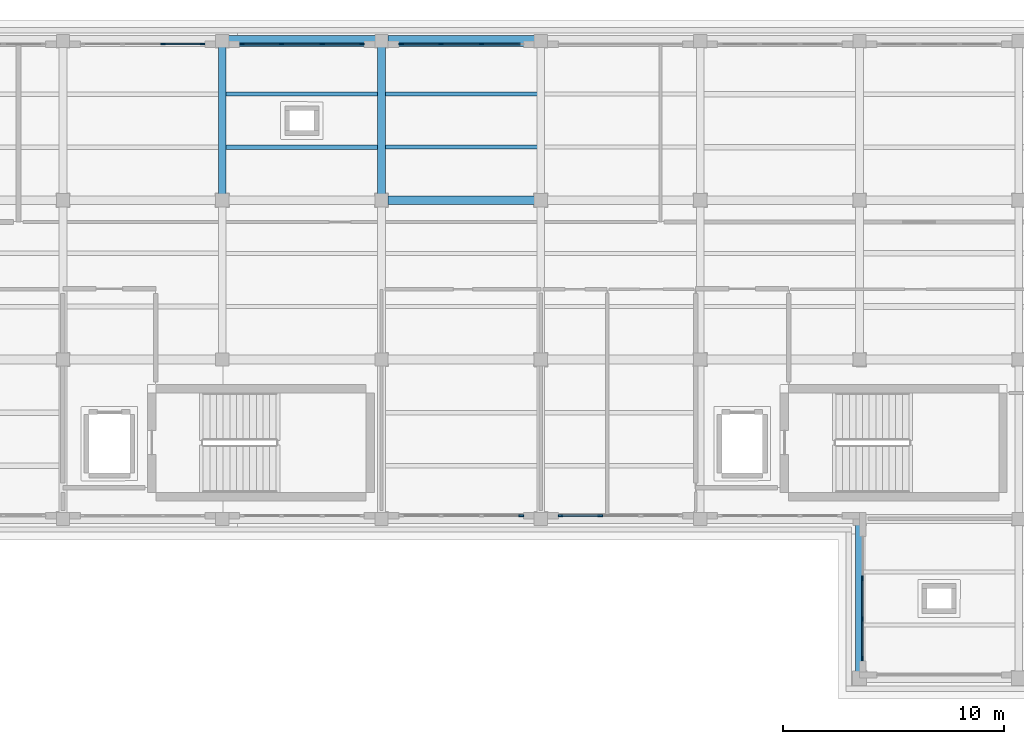
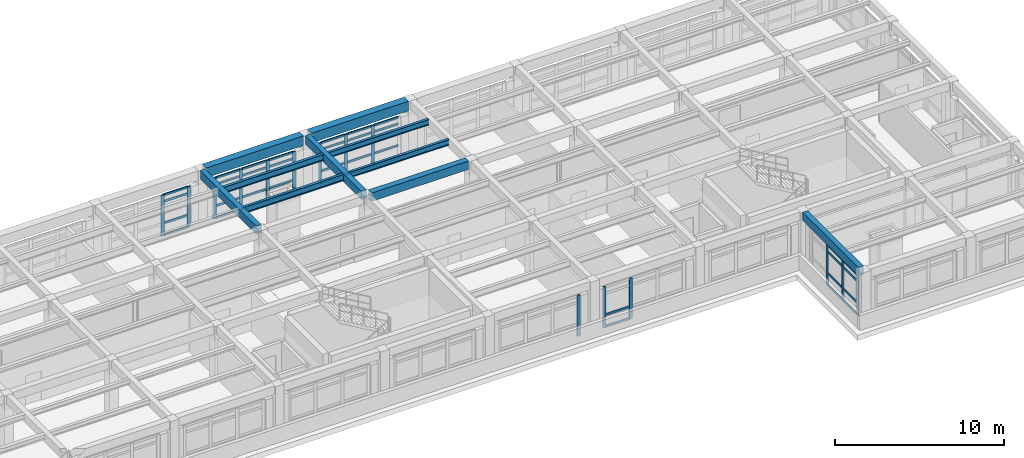
# One storey, part 6 of 19: 53 members, 10 beams, 6 elements without a shape of their own.
"""IFC4 building model written with IfcOpenShell, lengths in metres."""

from ifc_helpers import new_model, si_unit, direction, frame, origin, origin_2d, place, context, subcontext, project, spatial, rectangle, i_section, extrude, material, layer, layer_set, material_profile, profile_set, type_object, element, aggregate, save


model = new_model("IFC4")

# Units and contexts
model_context = context("Model", 3, precision=1e-05, world=origin(), true_north=direction((0.0, 1.0)))
body_context = subcontext(model_context, "Body", "Model", "MODEL_VIEW")
ifc_project = project(units=[si_unit("LENGTHUNIT", "METRE"), si_unit("AREAUNIT", "SQUARE_METRE"), si_unit("VOLUMEUNIT", "CUBIC_METRE"), si_unit("PLANEANGLEUNIT", "RADIAN"), si_unit("MASSUNIT", "GRAM", prefix="KILO")], contexts=[model_context])

# Site, building, storey
site_placement = place(None, origin())
site = spatial("IfcSite", under=ifc_project, at=site_placement, CompositionType="ELEMENT")
building_placement = place(site_placement, origin())
building = spatial("IfcBuilding", under=site, at=building_placement, Name="Solenvale Faculty of Natural Sciences", CompositionType="ELEMENT")
storey_placement = place(building_placement, frame((0.0, 0.0, 27.0)))
storey = spatial("IfcBuildingStorey", under=building, at=storey_placement, Name="L06", CompositionType="ELEMENT", Elevation=27.0)

# Beams
ifc_material_1 = material(Name="Concrete 40 MPa", Category="concrete")
ifc_material_profile_1 = material_profile(ifc_material_1, rectangle(XDim=0.35009765625, YDim=0.60009765625, at=origin_2d()), Name="RC-BM-350x600")
ifc_profile_set_1 = profile_set([ifc_material_profile_1], Name="Concrete 40 MPa")
beam_type_1 = type_object("IfcBeamType", Name="BM-RC-350x600", PredefinedType="BEAM", material=ifc_profile_set_1)
for number, where, z_axis, x_axis, name in (
    (1, (108.0, 108.280029296875, 3.6201171875), (0.0, 1.0, 0.0), (-1.0, 0.0, 0.0), "L06 Y-Girder X108.0 (108.0..115.2)"),
    (2, (115.199951171875, 108.280029296875, 3.6201171875), (0.0, 1.0, 0.0), (-1.0, 0.0, 0.0), "L06 Y-Girder X115.2 (108.0..115.2)"),
):
    element("IfcBeam", number, at=place(storey_placement, frame(where, z_axis=z_axis, x_axis=x_axis)), inside=storey, type_object=beam_type_1, Name=name, PredefinedType="BEAM", context=body_context, shape_type="SweptSolid", body=[
        extrude(rectangle(XDim=0.35009765625, YDim=0.60009765625, at=origin_2d()), origin(), (0.0, 0.0, 1.0), 6.639892578125),
    ])
beam_1_placement = place(storey_placement, frame((136.800048828125, 86.705078125, 3.6201171875), z_axis=(0.0, 1.0, 0.0), x_axis=(-1.0, 0.0, 0.0)))
element("IfcBeam", 3, at=beam_1_placement, inside=storey, type_object=beam_type_1, Name="L06 Y-Girder X136.8 (86.4..93.6)", PredefinedType="BEAM", context=body_context, shape_type="SweptSolid", body=[
    extrude(rectangle(XDim=0.35009765625, YDim=0.60009765625, at=origin_2d()), origin(), (0.0, 0.0, 1.0), 6.614990234375),
])
ifc_material_profile_2 = material_profile(ifc_material_1, rectangle(XDim=0.39990234375, YDim=0.60009765625, at=origin_2d()), Name="RC-BM-400x600")
ifc_profile_set_2 = profile_set([ifc_material_profile_2], Name="Concrete 40 MPa")
beam_type_2 = type_object("IfcBeamType", Name="BM-RC-400x600", PredefinedType="BEAM", material=ifc_profile_set_2)
beam_2_placement = place(storey_placement, frame((115.47998046875, 108.0, 3.6201171875), z_axis=(1.0, 0.0, 0.0), x_axis=(0.0, 1.0, 0.0)))
element("IfcBeam", 4, at=beam_2_placement, inside=storey, type_object=beam_type_2, Name="L06 X-Girder Y108.0 (115.2..122.4)", PredefinedType="BEAM", context=body_context, shape_type="SweptSolid", body=[
    extrude(rectangle(XDim=0.39990234375, YDim=0.60009765625, at=origin_2d()), origin(), (0.0, 0.0, 1.0), 6.64013671875),
])
ifc_material_2 = material(Name="Precast concrete 40 MPa", Category="concrete")
ifc_material_profile_3 = material_profile(ifc_material_2, rectangle(XDim=0.5, YDim=0.699951171875, at=origin_2d()), Name="RC-BM-500x700")
ifc_profile_set_3 = profile_set([ifc_material_profile_3], Name="Precast concrete 40 MPa")
beam_type_3 = type_object("IfcBeamType", Name="BM-SPN-PRC-700", PredefinedType="SPANDREL", material=ifc_profile_set_3)
beam_3_placement = place(storey_placement, frame((108.280029296875, 115.199951171875, 3.570068359375), z_axis=(1.0, 0.0, 0.0), x_axis=(0.0, 1.0, 0.0)))
element("IfcBeam", 5, at=beam_3_placement, inside=storey, type_object=beam_type_3, Name="L06 X-Girder Y115.2 (108.0..115.2)", PredefinedType="SPANDREL", context=body_context, shape_type="SweptSolid", body=[
    extrude(rectangle(XDim=0.5, YDim=0.699951171875, at=origin_2d()), origin(), (0.0, 0.0, 1.0), 6.639892578125),
])
beam_4_placement = place(storey_placement, frame((115.47998046875, 115.199951171875, 3.570068359375), z_axis=(1.0, 0.0, 0.0), x_axis=(0.0, 1.0, 0.0)))
element("IfcBeam", 6, at=beam_4_placement, inside=storey, type_object=beam_type_3, Name="L06 X-Girder Y115.2 (115.2..122.4)", PredefinedType="SPANDREL", context=body_context, shape_type="SweptSolid", body=[
    extrude(rectangle(XDim=0.5, YDim=0.699951171875, at=origin_2d()), origin(), (0.0, 0.0, 1.0), 6.64013671875),
])
ifc_material_3 = material(Name="Steel S355", Category="steel")
ifc_material_profile_4 = material_profile(ifc_material_3, i_section(OverallWidth=0.180908203125, OverallDepth=0.4169921875, WebThickness=0.010986328125, FlangeThickness=0.018310546875, FilletRadius=0.01611328125, at=origin_2d()), Name="W410x85")
ifc_profile_set_4 = profile_set([ifc_material_profile_4], Name="Steel S355")
beam_type_4 = type_object("IfcBeamType", Name="BM-STL-W410x85", PredefinedType="JOIST", material=ifc_profile_set_4)
for number, where, z_axis, x_axis, name in (
    (7, (115.35498046875, 110.39990234375, 3.71142578125), (1.0, 0.0, 0.0), (0.0, 1.0, 0.0), "L06 Composite Floor Joist (17,16).1"),
    (8, (115.35498046875, 112.800048828125, 3.71142578125), (1.0, 0.0, 0.0), (0.0, 1.0, 0.0), "L06 Composite Floor Joist (17,16).2"),
):
    element("IfcBeam", number, at=place(storey_placement, frame(where, z_axis=z_axis, x_axis=x_axis)), inside=storey, type_object=beam_type_4, Name=name, PredefinedType="JOIST", context=body_context, shape_type="SweptSolid", body=[
        extrude(i_section(OverallWidth=0.180908203125, OverallDepth=0.4169921875, WebThickness=0.010986328125, FlangeThickness=0.018310546875, FilletRadius=0.01611328125, at=origin_2d()), origin(), (0.0, 0.0, 1.0), 6.89013671875),
    ])
ifc_material_profile_5 = material_profile(ifc_material_3, i_section(OverallWidth=0.19091796875, OverallDepth=0.4599609375, WebThickness=0.010009765625, FlangeThickness=0.01611328125, FilletRadius=0.01806640625, at=origin_2d()), Name="W460x82")
ifc_profile_set_5 = profile_set([ifc_material_profile_5], Name="Steel S355")
beam_type_5 = type_object("IfcBeamType", Name="BM-STL-W460x82", PredefinedType="JOIST", material=ifc_profile_set_5)
for number, where, z_axis, x_axis, name in (
    (9, (108.155029296875, 110.39990234375, 3.68994140625), (1.0, 0.0, 0.0), (0.0, 1.0, 0.0), "L06 Composite Floor Joist (16,16).1"),
    (10, (108.155029296875, 112.800048828125, 3.68994140625), (1.0, 0.0, 0.0), (0.0, 1.0, 0.0), "L06 Composite Floor Joist (16,16).2"),
):
    element("IfcBeam", number, at=place(storey_placement, frame(where, z_axis=z_axis, x_axis=x_axis)), inside=storey, type_object=beam_type_5, Name=name, PredefinedType="JOIST", context=body_context, shape_type="SweptSolid", body=[
        extrude(i_section(OverallWidth=0.19091796875, OverallDepth=0.4599609375, WebThickness=0.010009765625, FlangeThickness=0.01611328125, FilletRadius=0.01806640625, at=origin_2d()), origin(), (0.0, 0.0, 1.0), 6.889892578125),
    ])

# Curtain wall, members
ifc_material_4 = material(Name="Anodised bronze aluminium", Category="aluminium")
ifc_layer = layer(ifc_material_4, 0.179931640625)
ifc_layer_set = layer_set([ifc_layer], Name="Anodised bronze aluminium")
curtain_wall_type = type_object("IfcCurtainWallType", Name="CW-TWR-MOD", PredefinedType="USERDEFINED", material=ifc_layer_set)
curtain_wall_1_placement = place(storey_placement, origin())
curtain_wall_1 = element("IfcCurtainWall", 11, at=curtain_wall_1_placement, inside=storey, type_object=curtain_wall_type, Name="L06 Curtain Wall CW-L06-P1-E2-B5", ObjectType="UNITISED CURTAIN WALL", PredefinedType="USERDEFINED")
ifc_material_profile_6 = material_profile(ifc_material_4, rectangle(XDim=0.074951171875, YDim=0.2099609375, at=origin_2d()), Name="ALU-MUL-75x210")
ifc_profile_set_6 = profile_set([ifc_material_profile_6], Name="Anodised bronze aluminium")
member_type_1 = type_object("IfcMemberType", Name="CWM-ALU-75x210", PredefinedType="MULLION", material=ifc_profile_set_6)
member_1_placement = place(storey_placement, frame((119.716552734375, 115.0576171875, 0.0), z_axis=(0.0, 0.0, 1.0), x_axis=(0.0, -1.0, 0.0)))
member_1 = element("IfcMember", 12, at=member_1_placement, type_object=member_type_1, Name="CW-04 mullion 2", PredefinedType="MULLION", context=body_context, shape_type="SweptSolid", body=[
    extrude(rectangle(XDim=0.074951171875, YDim=0.2099609375, at=origin_2d()), origin(), (0.0, 0.0, 1.0), 2.9599609375),
])
member_2_placement = place(storey_placement, frame((117.88330078125, 115.0576171875, 0.0), z_axis=(0.0, 0.0, 1.0), x_axis=(0.0, -1.0, 0.0)))
member_2 = element("IfcMember", 13, at=member_2_placement, type_object=member_type_1, Name="CW-04 mullion 3", PredefinedType="MULLION", context=body_context, shape_type="SweptSolid", body=[
    extrude(rectangle(XDim=0.074951171875, YDim=0.2099609375, at=origin_2d()), origin(), (0.0, 0.0, 1.0), 2.9599609375),
])
member_3_placement = place(storey_placement, frame((116.08740234375, 115.0576171875, 0.0), z_axis=(0.0, 0.0, 1.0), x_axis=(0.0, -1.0, 0.0)))
member_3 = element("IfcMember", 14, at=member_3_placement, type_object=member_type_1, Name="CW-04 mullion 4", PredefinedType="MULLION", context=body_context, shape_type="SweptSolid", body=[
    extrude(rectangle(XDim=0.074951171875, YDim=0.2099609375, at=origin_2d()), origin(), (0.0, 0.0, 1.0), 2.9599609375),
])

curtain_wall_2_placement = place(storey_placement, origin())
curtain_wall_2 = element("IfcCurtainWall", 15, at=curtain_wall_2_placement, inside=storey, type_object=curtain_wall_type, Name="L06 Curtain Wall CW-L06-P1-E2-B6", ObjectType="UNITISED CURTAIN WALL", PredefinedType="USERDEFINED")
member_4_placement = place(storey_placement, frame((114.3125, 115.0576171875, 0.0), z_axis=(0.0, 0.0, 1.0), x_axis=(0.0, -1.0, 0.0)))
member_4 = element("IfcMember", 16, at=member_4_placement, type_object=member_type_1, Name="CW-04 mullion 1", PredefinedType="MULLION", context=body_context, shape_type="SweptSolid", body=[
    extrude(rectangle(XDim=0.074951171875, YDim=0.2099609375, at=origin_2d()), origin(), (0.0, 0.0, 1.0), 2.9599609375),
])
member_5_placement = place(storey_placement, frame((112.5166015625, 115.0576171875, 0.0), z_axis=(0.0, 0.0, 1.0), x_axis=(0.0, -1.0, 0.0)))
member_5 = element("IfcMember", 17, at=member_5_placement, type_object=member_type_1, Name="CW-04 mullion 2", PredefinedType="MULLION", context=body_context, shape_type="SweptSolid", body=[
    extrude(rectangle(XDim=0.074951171875, YDim=0.2099609375, at=origin_2d()), origin(), (0.0, 0.0, 1.0), 2.9599609375),
])
member_6_placement = place(storey_placement, frame((110.683349609375, 115.0576171875, 0.0), z_axis=(0.0, 0.0, 1.0), x_axis=(0.0, -1.0, 0.0)))
member_6 = element("IfcMember", 18, at=member_6_placement, type_object=member_type_1, Name="CW-04 mullion 3", PredefinedType="MULLION", context=body_context, shape_type="SweptSolid", body=[
    extrude(rectangle(XDim=0.074951171875, YDim=0.2099609375, at=origin_2d()), origin(), (0.0, 0.0, 1.0), 2.9599609375),
])
member_7_placement = place(storey_placement, frame((108.887451171875, 115.0576171875, 0.0), z_axis=(0.0, 0.0, 1.0), x_axis=(0.0, -1.0, 0.0)))
member_7 = element("IfcMember", 19, at=member_7_placement, type_object=member_type_1, Name="CW-04 mullion 4", PredefinedType="MULLION", context=body_context, shape_type="SweptSolid", body=[
    extrude(rectangle(XDim=0.074951171875, YDim=0.2099609375, at=origin_2d()), origin(), (0.0, 0.0, 1.0), 2.9599609375),
])

curtain_wall_3_placement = place(storey_placement, origin())
curtain_wall_3 = element("IfcCurtainWall", 20, at=curtain_wall_3_placement, inside=storey, type_object=curtain_wall_type, Name="L06 Curtain Wall CW-L06-P1-E2-B7", ObjectType="UNITISED CURTAIN WALL", PredefinedType="USERDEFINED")
member_8_placement = place(storey_placement, frame((107.112548828125, 115.0576171875, 0.0), z_axis=(0.0, 0.0, 1.0), x_axis=(0.0, -1.0, 0.0)))
member_8 = element("IfcMember", 21, at=member_8_placement, type_object=member_type_1, Name="CW-04 mullion 1", PredefinedType="MULLION", context=body_context, shape_type="SweptSolid", body=[
    extrude(rectangle(XDim=0.074951171875, YDim=0.2099609375, at=origin_2d()), origin(), (0.0, 0.0, 1.0), 2.9599609375),
])
member_9_placement = place(storey_placement, frame((105.316650390625, 115.0576171875, 0.0), z_axis=(0.0, 0.0, 1.0), x_axis=(0.0, -1.0, 0.0)))
member_9 = element("IfcMember", 22, at=member_9_placement, type_object=member_type_1, Name="CW-04 mullion 2", PredefinedType="MULLION", context=body_context, shape_type="SweptSolid", body=[
    extrude(rectangle(XDim=0.074951171875, YDim=0.2099609375, at=origin_2d()), origin(), (0.0, 0.0, 1.0), 2.9599609375),
])

# Curtain wall, member
curtain_wall_4_placement = place(storey_placement, origin())
curtain_wall_4 = element("IfcCurtainWall", 23, at=curtain_wall_4_placement, inside=storey, type_object=curtain_wall_type, Name="L06 Curtain Wall CW-L06-P1-E4-B6", ObjectType="UNITISED CURTAIN WALL", PredefinedType="USERDEFINED")
member_10_placement = place(storey_placement, frame((121.512451171875, 93.742431640625, 0.0), z_axis=(0.0, 0.0, 1.0), x_axis=(0.0, 1.0, 0.0)))
member_10 = element("IfcMember", 24, at=member_10_placement, type_object=member_type_1, Name="CW-04 mullion 4", PredefinedType="MULLION", context=body_context, shape_type="SweptSolid", body=[
    extrude(rectangle(XDim=0.074951171875, YDim=0.2099609375, at=origin_2d()), origin(), (0.0, 0.0, 1.0), 2.9599609375),
])
aggregate(curtain_wall_4, [member_10])

# Curtain wall, members
curtain_wall_5_placement = place(storey_placement, origin())
curtain_wall_5 = element("IfcCurtainWall", 25, at=curtain_wall_5_placement, inside=storey, type_object=curtain_wall_type, Name="L06 Curtain Wall CW-L06-P1-E4-B7", ObjectType="UNITISED CURTAIN WALL", PredefinedType="USERDEFINED")
member_11_placement = place(storey_placement, frame((123.28759765625, 93.742431640625, 0.0), z_axis=(0.0, 0.0, 1.0), x_axis=(0.0, 1.0, 0.0)))
member_11 = element("IfcMember", 26, at=member_11_placement, type_object=member_type_1, Name="CW-04 mullion 1", PredefinedType="MULLION", context=body_context, shape_type="SweptSolid", body=[
    extrude(rectangle(XDim=0.074951171875, YDim=0.2099609375, at=origin_2d()), origin(), (0.0, 0.0, 1.0), 2.9599609375),
])
member_12_placement = place(storey_placement, frame((125.083251953125, 93.742431640625, 0.0), z_axis=(0.0, 0.0, 1.0), x_axis=(0.0, 1.0, 0.0)))
member_12 = element("IfcMember", 27, at=member_12_placement, type_object=member_type_1, Name="CW-04 mullion 2", PredefinedType="MULLION", context=body_context, shape_type="SweptSolid", body=[
    extrude(rectangle(XDim=0.074951171875, YDim=0.2099609375, at=origin_2d()), origin(), (0.0, 0.0, 1.0), 2.9599609375),
])

curtain_wall_6_placement = place(storey_placement, origin())
curtain_wall_6 = element("IfcCurtainWall", 28, at=curtain_wall_6_placement, inside=storey, type_object=curtain_wall_type, Name="L06 Curtain Wall CW-L06-P1-E5-B1", ObjectType="UNITISED CURTAIN WALL", PredefinedType="USERDEFINED")
member_13_placement = place(storey_placement, frame((136.9423828125, 90.916748046875, 0.0), z_axis=(0.0, 0.0, 1.0), x_axis=(1.0, 0.0, 0.0)))
member_13 = element("IfcMember", 29, at=member_13_placement, type_object=member_type_1, Name="CW-04 mullion 2", PredefinedType="MULLION", context=body_context, shape_type="SweptSolid", body=[
    extrude(rectangle(XDim=0.074951171875, YDim=0.2099609375, at=origin_2d()), origin(), (0.0, 0.0, 1.0), 2.9599609375),
])
member_14_placement = place(storey_placement, frame((136.9423828125, 89.083251953125, 0.0), z_axis=(0.0, 0.0, 1.0), x_axis=(1.0, 0.0, 0.0)))
member_14 = element("IfcMember", 30, at=member_14_placement, type_object=member_type_1, Name="CW-04 mullion 3", PredefinedType="MULLION", context=body_context, shape_type="SweptSolid", body=[
    extrude(rectangle(XDim=0.074951171875, YDim=0.2099609375, at=origin_2d()), origin(), (0.0, 0.0, 1.0), 2.9599609375),
])
member_15_placement = place(storey_placement, frame((136.9423828125, 87.28759765625, 0.0), z_axis=(0.0, 0.0, 1.0), x_axis=(1.0, 0.0, 0.0)))
member_15 = element("IfcMember", 31, at=member_15_placement, type_object=member_type_1, Name="CW-04 mullion 4", PredefinedType="MULLION", context=body_context, shape_type="SweptSolid", body=[
    extrude(rectangle(XDim=0.074951171875, YDim=0.2099609375, at=origin_2d()), origin(), (0.0, 0.0, 1.0), 2.9599609375),
])

# Member
ifc_material_profile_7 = material_profile(ifc_material_4, rectangle(XDim=0.074951171875, YDim=0.155029296875, at=origin_2d()), Name="ALU-TRN-75x155")
ifc_profile_set_7 = profile_set([ifc_material_profile_7], Name="Anodised bronze aluminium")
member_type_2 = type_object("IfcMemberType", Name="CWT-ALU-75x155", PredefinedType="USERDEFINED", material=ifc_profile_set_7)
member_16_placement = place(storey_placement, frame((121.47509765625, 115.0576171875, 0.03759765625), z_axis=(-1.0, 0.0, 0.0), x_axis=(0.0, -1.0, 0.0)))
member_16 = element("IfcMember", 32, at=member_16_placement, type_object=member_type_2, Name="CW-04 transom 1.1", ObjectType="TRANSOM", PredefinedType="USERDEFINED", context=body_context, shape_type="SweptSolid", body=[
    extrude(rectangle(XDim=0.074951171875, YDim=0.155029296875, at=origin_2d()), origin(), (0.0, 0.0, 1.0), 1.720947265625),
])

member_17_placement = place(storey_placement, frame((121.47509765625, 115.0576171875, 0.89990234375), z_axis=(-1.0, 0.0, 0.0), x_axis=(0.0, -1.0, 0.0)))
member_17 = element("IfcMember", 33, at=member_17_placement, type_object=member_type_2, Name="CW-04 transom 1.2", ObjectType="TRANSOM", PredefinedType="USERDEFINED", context=body_context, shape_type="SweptSolid", body=[
    extrude(rectangle(XDim=0.074951171875, YDim=0.155029296875, at=origin_2d()), origin(), (0.0, 0.0, 1.0), 1.720947265625),
])

member_18_placement = place(storey_placement, frame((121.47509765625, 115.0576171875, 2.4599609375), z_axis=(-1.0, 0.0, 0.0), x_axis=(0.0, -1.0, 0.0)))
member_18 = element("IfcMember", 34, at=member_18_placement, type_object=member_type_2, Name="CW-04 transom 1.3", ObjectType="TRANSOM", PredefinedType="USERDEFINED", context=body_context, shape_type="SweptSolid", body=[
    extrude(rectangle(XDim=0.074951171875, YDim=0.155029296875, at=origin_2d()), origin(), (0.0, 0.0, 1.0), 1.720947265625),
])

member_19_placement = place(storey_placement, frame((121.47509765625, 115.0576171875, 2.922607421875), z_axis=(-1.0, 0.0, 0.0), x_axis=(0.0, -1.0, 0.0)))
member_19 = element("IfcMember", 35, at=member_19_placement, type_object=member_type_2, Name="CW-04 transom 1.4", ObjectType="TRANSOM", PredefinedType="USERDEFINED", context=body_context, shape_type="SweptSolid", body=[
    extrude(rectangle(XDim=0.074951171875, YDim=0.155029296875, at=origin_2d()), origin(), (0.0, 0.0, 1.0), 1.720947265625),
])

member_20_placement = place(storey_placement, frame((119.67919921875, 115.0576171875, 0.03759765625), z_axis=(-1.0, 0.0, 0.0), x_axis=(0.0, -1.0, 0.0)))
member_20 = element("IfcMember", 36, at=member_20_placement, type_object=member_type_2, Name="CW-04 transom 2.1", ObjectType="TRANSOM", PredefinedType="USERDEFINED", context=body_context, shape_type="SweptSolid", body=[
    extrude(rectangle(XDim=0.074951171875, YDim=0.155029296875, at=origin_2d()), origin(), (0.0, 0.0, 1.0), 1.75830078125),
])

member_21_placement = place(storey_placement, frame((119.67919921875, 115.0576171875, 0.89990234375), z_axis=(-1.0, 0.0, 0.0), x_axis=(0.0, -1.0, 0.0)))
member_21 = element("IfcMember", 37, at=member_21_placement, type_object=member_type_2, Name="CW-04 transom 2.2", ObjectType="TRANSOM", PredefinedType="USERDEFINED", context=body_context, shape_type="SweptSolid", body=[
    extrude(rectangle(XDim=0.074951171875, YDim=0.155029296875, at=origin_2d()), origin(), (0.0, 0.0, 1.0), 1.75830078125),
])

member_22_placement = place(storey_placement, frame((119.67919921875, 115.0576171875, 2.4599609375), z_axis=(-1.0, 0.0, 0.0), x_axis=(0.0, -1.0, 0.0)))
member_22 = element("IfcMember", 38, at=member_22_placement, type_object=member_type_2, Name="CW-04 transom 2.3", ObjectType="TRANSOM", PredefinedType="USERDEFINED", context=body_context, shape_type="SweptSolid", body=[
    extrude(rectangle(XDim=0.074951171875, YDim=0.155029296875, at=origin_2d()), origin(), (0.0, 0.0, 1.0), 1.75830078125),
])

member_23_placement = place(storey_placement, frame((119.67919921875, 115.0576171875, 2.922607421875), z_axis=(-1.0, 0.0, 0.0), x_axis=(0.0, -1.0, 0.0)))
member_23 = element("IfcMember", 39, at=member_23_placement, type_object=member_type_2, Name="CW-04 transom 2.4", ObjectType="TRANSOM", PredefinedType="USERDEFINED", context=body_context, shape_type="SweptSolid", body=[
    extrude(rectangle(XDim=0.074951171875, YDim=0.155029296875, at=origin_2d()), origin(), (0.0, 0.0, 1.0), 1.75830078125),
])

member_24_placement = place(storey_placement, frame((117.845947265625, 115.0576171875, 0.03759765625), z_axis=(-1.0, 0.0, 0.0), x_axis=(0.0, -1.0, 0.0)))
member_24 = element("IfcMember", 40, at=member_24_placement, type_object=member_type_2, Name="CW-04 transom 3.1", ObjectType="TRANSOM", PredefinedType="USERDEFINED", context=body_context, shape_type="SweptSolid", body=[
    extrude(rectangle(XDim=0.074951171875, YDim=0.155029296875, at=origin_2d()), origin(), (0.0, 0.0, 1.0), 1.720947265625),
])

member_25_placement = place(storey_placement, frame((117.845947265625, 115.0576171875, 0.89990234375), z_axis=(-1.0, 0.0, 0.0), x_axis=(0.0, -1.0, 0.0)))
member_25 = element("IfcMember", 41, at=member_25_placement, type_object=member_type_2, Name="CW-04 transom 3.2", ObjectType="TRANSOM", PredefinedType="USERDEFINED", context=body_context, shape_type="SweptSolid", body=[
    extrude(rectangle(XDim=0.074951171875, YDim=0.155029296875, at=origin_2d()), origin(), (0.0, 0.0, 1.0), 1.720947265625),
])

member_26_placement = place(storey_placement, frame((117.845947265625, 115.0576171875, 2.4599609375), z_axis=(-1.0, 0.0, 0.0), x_axis=(0.0, -1.0, 0.0)))
member_26 = element("IfcMember", 42, at=member_26_placement, type_object=member_type_2, Name="CW-04 transom 3.3", ObjectType="TRANSOM", PredefinedType="USERDEFINED", context=body_context, shape_type="SweptSolid", body=[
    extrude(rectangle(XDim=0.074951171875, YDim=0.155029296875, at=origin_2d()), origin(), (0.0, 0.0, 1.0), 1.720947265625),
])

member_27_placement = place(storey_placement, frame((117.845947265625, 115.0576171875, 2.922607421875), z_axis=(-1.0, 0.0, 0.0), x_axis=(0.0, -1.0, 0.0)))
member_27 = element("IfcMember", 43, at=member_27_placement, type_object=member_type_2, Name="CW-04 transom 3.4", ObjectType="TRANSOM", PredefinedType="USERDEFINED", context=body_context, shape_type="SweptSolid", body=[
    extrude(rectangle(XDim=0.074951171875, YDim=0.155029296875, at=origin_2d()), origin(), (0.0, 0.0, 1.0), 1.720947265625),
])

aggregate(curtain_wall_1, [member_1, member_2, member_3, member_16, member_17, member_18, member_19, member_20, member_21, member_22, member_23, member_24, member_25, member_26, member_27])

member_28_placement = place(storey_placement, frame((114.27490234375, 115.0576171875, 0.03759765625), z_axis=(-1.0, 0.0, 0.0), x_axis=(0.0, -1.0, 0.0)))
member_28 = element("IfcMember", 44, at=member_28_placement, type_object=member_type_2, Name="CW-04 transom 1.1", ObjectType="TRANSOM", PredefinedType="USERDEFINED", context=body_context, shape_type="SweptSolid", body=[
    extrude(rectangle(XDim=0.074951171875, YDim=0.155029296875, at=origin_2d()), origin(), (0.0, 0.0, 1.0), 1.720703125),
])

member_29_placement = place(storey_placement, frame((114.27490234375, 115.0576171875, 0.89990234375), z_axis=(-1.0, 0.0, 0.0), x_axis=(0.0, -1.0, 0.0)))
member_29 = element("IfcMember", 45, at=member_29_placement, type_object=member_type_2, Name="CW-04 transom 1.2", ObjectType="TRANSOM", PredefinedType="USERDEFINED", context=body_context, shape_type="SweptSolid", body=[
    extrude(rectangle(XDim=0.074951171875, YDim=0.155029296875, at=origin_2d()), origin(), (0.0, 0.0, 1.0), 1.720703125),
])

member_30_placement = place(storey_placement, frame((114.27490234375, 115.0576171875, 2.4599609375), z_axis=(-1.0, 0.0, 0.0), x_axis=(0.0, -1.0, 0.0)))
member_30 = element("IfcMember", 46, at=member_30_placement, type_object=member_type_2, Name="CW-04 transom 1.3", ObjectType="TRANSOM", PredefinedType="USERDEFINED", context=body_context, shape_type="SweptSolid", body=[
    extrude(rectangle(XDim=0.074951171875, YDim=0.155029296875, at=origin_2d()), origin(), (0.0, 0.0, 1.0), 1.720703125),
])

member_31_placement = place(storey_placement, frame((114.27490234375, 115.0576171875, 2.922607421875), z_axis=(-1.0, 0.0, 0.0), x_axis=(0.0, -1.0, 0.0)))
member_31 = element("IfcMember", 47, at=member_31_placement, type_object=member_type_2, Name="CW-04 transom 1.4", ObjectType="TRANSOM", PredefinedType="USERDEFINED", context=body_context, shape_type="SweptSolid", body=[
    extrude(rectangle(XDim=0.074951171875, YDim=0.155029296875, at=origin_2d()), origin(), (0.0, 0.0, 1.0), 1.720703125),
])

member_32_placement = place(storey_placement, frame((112.479248046875, 115.0576171875, 0.03759765625), z_axis=(-1.0, 0.0, 0.0), x_axis=(0.0, -1.0, 0.0)))
member_32 = element("IfcMember", 48, at=member_32_placement, type_object=member_type_2, Name="CW-04 transom 2.1", ObjectType="TRANSOM", PredefinedType="USERDEFINED", context=body_context, shape_type="SweptSolid", body=[
    extrude(rectangle(XDim=0.074951171875, YDim=0.155029296875, at=origin_2d()), origin(), (0.0, 0.0, 1.0), 1.75830078125),
])

member_33_placement = place(storey_placement, frame((112.479248046875, 115.0576171875, 0.89990234375), z_axis=(-1.0, 0.0, 0.0), x_axis=(0.0, -1.0, 0.0)))
member_33 = element("IfcMember", 49, at=member_33_placement, type_object=member_type_2, Name="CW-04 transom 2.2", ObjectType="TRANSOM", PredefinedType="USERDEFINED", context=body_context, shape_type="SweptSolid", body=[
    extrude(rectangle(XDim=0.074951171875, YDim=0.155029296875, at=origin_2d()), origin(), (0.0, 0.0, 1.0), 1.75830078125),
])

member_34_placement = place(storey_placement, frame((112.479248046875, 115.0576171875, 2.4599609375), z_axis=(-1.0, 0.0, 0.0), x_axis=(0.0, -1.0, 0.0)))
member_34 = element("IfcMember", 50, at=member_34_placement, type_object=member_type_2, Name="CW-04 transom 2.3", ObjectType="TRANSOM", PredefinedType="USERDEFINED", context=body_context, shape_type="SweptSolid", body=[
    extrude(rectangle(XDim=0.074951171875, YDim=0.155029296875, at=origin_2d()), origin(), (0.0, 0.0, 1.0), 1.75830078125),
])

member_35_placement = place(storey_placement, frame((112.479248046875, 115.0576171875, 2.922607421875), z_axis=(-1.0, 0.0, 0.0), x_axis=(0.0, -1.0, 0.0)))
member_35 = element("IfcMember", 51, at=member_35_placement, type_object=member_type_2, Name="CW-04 transom 2.4", ObjectType="TRANSOM", PredefinedType="USERDEFINED", context=body_context, shape_type="SweptSolid", body=[
    extrude(rectangle(XDim=0.074951171875, YDim=0.155029296875, at=origin_2d()), origin(), (0.0, 0.0, 1.0), 1.75830078125),
])

member_36_placement = place(storey_placement, frame((110.645751953125, 115.0576171875, 0.03759765625), z_axis=(-1.0, 0.0, 0.0), x_axis=(0.0, -1.0, 0.0)))
member_36 = element("IfcMember", 52, at=member_36_placement, type_object=member_type_2, Name="CW-04 transom 3.1", ObjectType="TRANSOM", PredefinedType="USERDEFINED", context=body_context, shape_type="SweptSolid", body=[
    extrude(rectangle(XDim=0.074951171875, YDim=0.155029296875, at=origin_2d()), origin(), (0.0, 0.0, 1.0), 1.720703125),
])

member_37_placement = place(storey_placement, frame((110.645751953125, 115.0576171875, 0.89990234375), z_axis=(-1.0, 0.0, 0.0), x_axis=(0.0, -1.0, 0.0)))
member_37 = element("IfcMember", 53, at=member_37_placement, type_object=member_type_2, Name="CW-04 transom 3.2", ObjectType="TRANSOM", PredefinedType="USERDEFINED", context=body_context, shape_type="SweptSolid", body=[
    extrude(rectangle(XDim=0.074951171875, YDim=0.155029296875, at=origin_2d()), origin(), (0.0, 0.0, 1.0), 1.720703125),
])

member_38_placement = place(storey_placement, frame((110.645751953125, 115.0576171875, 2.4599609375), z_axis=(-1.0, 0.0, 0.0), x_axis=(0.0, -1.0, 0.0)))
member_38 = element("IfcMember", 54, at=member_38_placement, type_object=member_type_2, Name="CW-04 transom 3.3", ObjectType="TRANSOM", PredefinedType="USERDEFINED", context=body_context, shape_type="SweptSolid", body=[
    extrude(rectangle(XDim=0.074951171875, YDim=0.155029296875, at=origin_2d()), origin(), (0.0, 0.0, 1.0), 1.720703125),
])

member_39_placement = place(storey_placement, frame((110.645751953125, 115.0576171875, 2.922607421875), z_axis=(-1.0, 0.0, 0.0), x_axis=(0.0, -1.0, 0.0)))
member_39 = element("IfcMember", 55, at=member_39_placement, type_object=member_type_2, Name="CW-04 transom 3.4", ObjectType="TRANSOM", PredefinedType="USERDEFINED", context=body_context, shape_type="SweptSolid", body=[
    extrude(rectangle(XDim=0.074951171875, YDim=0.155029296875, at=origin_2d()), origin(), (0.0, 0.0, 1.0), 1.720703125),
])

aggregate(curtain_wall_2, [member_4, member_5, member_6, member_7, member_28, member_29, member_30, member_31, member_32, member_33, member_34, member_35, member_36, member_37, member_38, member_39])

member_40_placement = place(storey_placement, frame((107.074951171875, 115.0576171875, 0.03759765625), z_axis=(-1.0, 0.0, 0.0), x_axis=(0.0, -1.0, 0.0)))
member_40 = element("IfcMember", 56, at=member_40_placement, type_object=member_type_2, Name="CW-04 transom 1.1", ObjectType="TRANSOM", PredefinedType="USERDEFINED", context=body_context, shape_type="SweptSolid", body=[
    extrude(rectangle(XDim=0.074951171875, YDim=0.155029296875, at=origin_2d()), origin(), (0.0, 0.0, 1.0), 1.720703125),
])

member_41_placement = place(storey_placement, frame((107.074951171875, 115.0576171875, 0.89990234375), z_axis=(-1.0, 0.0, 0.0), x_axis=(0.0, -1.0, 0.0)))
member_41 = element("IfcMember", 57, at=member_41_placement, type_object=member_type_2, Name="CW-04 transom 1.2", ObjectType="TRANSOM", PredefinedType="USERDEFINED", context=body_context, shape_type="SweptSolid", body=[
    extrude(rectangle(XDim=0.074951171875, YDim=0.155029296875, at=origin_2d()), origin(), (0.0, 0.0, 1.0), 1.720703125),
])

member_42_placement = place(storey_placement, frame((107.074951171875, 115.0576171875, 2.4599609375), z_axis=(-1.0, 0.0, 0.0), x_axis=(0.0, -1.0, 0.0)))
member_42 = element("IfcMember", 58, at=member_42_placement, type_object=member_type_2, Name="CW-04 transom 1.3", ObjectType="TRANSOM", PredefinedType="USERDEFINED", context=body_context, shape_type="SweptSolid", body=[
    extrude(rectangle(XDim=0.074951171875, YDim=0.155029296875, at=origin_2d()), origin(), (0.0, 0.0, 1.0), 1.720703125),
])

member_43_placement = place(storey_placement, frame((107.074951171875, 115.0576171875, 2.922607421875), z_axis=(-1.0, 0.0, 0.0), x_axis=(0.0, -1.0, 0.0)))
member_43 = element("IfcMember", 59, at=member_43_placement, type_object=member_type_2, Name="CW-04 transom 1.4", ObjectType="TRANSOM", PredefinedType="USERDEFINED", context=body_context, shape_type="SweptSolid", body=[
    extrude(rectangle(XDim=0.074951171875, YDim=0.155029296875, at=origin_2d()), origin(), (0.0, 0.0, 1.0), 1.720703125),
])

aggregate(curtain_wall_3, [member_8, member_9, member_40, member_41, member_42, member_43])

member_44_placement = place(storey_placement, frame((123.324951171875, 93.742431640625, 0.03759765625), z_axis=(1.0, 0.0, 0.0), x_axis=(0.0, 1.0, 0.0)))
member_44 = element("IfcMember", 60, at=member_44_placement, type_object=member_type_2, Name="CW-04 transom 1.1", ObjectType="TRANSOM", PredefinedType="USERDEFINED", context=body_context, shape_type="SweptSolid", body=[
    extrude(rectangle(XDim=0.074951171875, YDim=0.155029296875, at=origin_2d()), origin(), (0.0, 0.0, 1.0), 1.720947265625),
])

member_45_placement = place(storey_placement, frame((123.324951171875, 93.742431640625, 0.89990234375), z_axis=(1.0, 0.0, 0.0), x_axis=(0.0, 1.0, 0.0)))
member_45 = element("IfcMember", 61, at=member_45_placement, type_object=member_type_2, Name="CW-04 transom 1.2", ObjectType="TRANSOM", PredefinedType="USERDEFINED", context=body_context, shape_type="SweptSolid", body=[
    extrude(rectangle(XDim=0.074951171875, YDim=0.155029296875, at=origin_2d()), origin(), (0.0, 0.0, 1.0), 1.720947265625),
])

aggregate(curtain_wall_5, [member_11, member_12, member_44, member_45])

member_46_placement = place(storey_placement, frame((136.9423828125, 90.879150390625, 0.03759765625), z_axis=(0.0, -1.0, 0.0), x_axis=(1.0, 0.0, 0.0)))
member_46 = element("IfcMember", 62, at=member_46_placement, type_object=member_type_2, Name="CW-04 transom 2.1", ObjectType="TRANSOM", PredefinedType="USERDEFINED", context=body_context, shape_type="SweptSolid", body=[
    extrude(rectangle(XDim=0.074951171875, YDim=0.155029296875, at=origin_2d()), origin(), (0.0, 0.0, 1.0), 1.75830078125),
])

member_47_placement = place(storey_placement, frame((136.9423828125, 90.879150390625, 0.89990234375), z_axis=(0.0, -1.0, 0.0), x_axis=(1.0, 0.0, 0.0)))
member_47 = element("IfcMember", 63, at=member_47_placement, type_object=member_type_2, Name="CW-04 transom 2.2", ObjectType="TRANSOM", PredefinedType="USERDEFINED", context=body_context, shape_type="SweptSolid", body=[
    extrude(rectangle(XDim=0.074951171875, YDim=0.155029296875, at=origin_2d()), origin(), (0.0, 0.0, 1.0), 1.75830078125),
])

member_48_placement = place(storey_placement, frame((136.9423828125, 90.879150390625, 2.4599609375), z_axis=(0.0, -1.0, 0.0), x_axis=(1.0, 0.0, 0.0)))
member_48 = element("IfcMember", 64, at=member_48_placement, type_object=member_type_2, Name="CW-04 transom 2.3", ObjectType="TRANSOM", PredefinedType="USERDEFINED", context=body_context, shape_type="SweptSolid", body=[
    extrude(rectangle(XDim=0.074951171875, YDim=0.155029296875, at=origin_2d()), origin(), (0.0, 0.0, 1.0), 1.75830078125),
])

member_49_placement = place(storey_placement, frame((136.9423828125, 90.879150390625, 2.922607421875), z_axis=(0.0, -1.0, 0.0), x_axis=(1.0, 0.0, 0.0)))
member_49 = element("IfcMember", 65, at=member_49_placement, type_object=member_type_2, Name="CW-04 transom 2.4", ObjectType="TRANSOM", PredefinedType="USERDEFINED", context=body_context, shape_type="SweptSolid", body=[
    extrude(rectangle(XDim=0.074951171875, YDim=0.155029296875, at=origin_2d()), origin(), (0.0, 0.0, 1.0), 1.75830078125),
])

member_50_placement = place(storey_placement, frame((136.9423828125, 89.0458984375, 0.03759765625), z_axis=(0.0, -1.0, 0.0), x_axis=(1.0, 0.0, 0.0)))
member_50 = element("IfcMember", 66, at=member_50_placement, type_object=member_type_2, Name="CW-04 transom 3.1", ObjectType="TRANSOM", PredefinedType="USERDEFINED", context=body_context, shape_type="SweptSolid", body=[
    extrude(rectangle(XDim=0.074951171875, YDim=0.155029296875, at=origin_2d()), origin(), (0.0, 0.0, 1.0), 1.720947265625),
])

member_51_placement = place(storey_placement, frame((136.9423828125, 89.0458984375, 0.89990234375), z_axis=(0.0, -1.0, 0.0), x_axis=(1.0, 0.0, 0.0)))
member_51 = element("IfcMember", 67, at=member_51_placement, type_object=member_type_2, Name="CW-04 transom 3.2", ObjectType="TRANSOM", PredefinedType="USERDEFINED", context=body_context, shape_type="SweptSolid", body=[
    extrude(rectangle(XDim=0.074951171875, YDim=0.155029296875, at=origin_2d()), origin(), (0.0, 0.0, 1.0), 1.720947265625),
])

member_52_placement = place(storey_placement, frame((136.9423828125, 89.0458984375, 2.4599609375), z_axis=(0.0, -1.0, 0.0), x_axis=(1.0, 0.0, 0.0)))
member_52 = element("IfcMember", 68, at=member_52_placement, type_object=member_type_2, Name="CW-04 transom 3.3", ObjectType="TRANSOM", PredefinedType="USERDEFINED", context=body_context, shape_type="SweptSolid", body=[
    extrude(rectangle(XDim=0.074951171875, YDim=0.155029296875, at=origin_2d()), origin(), (0.0, 0.0, 1.0), 1.720947265625),
])

member_53_placement = place(storey_placement, frame((136.9423828125, 89.0458984375, 2.922607421875), z_axis=(0.0, -1.0, 0.0), x_axis=(1.0, 0.0, 0.0)))
member_53 = element("IfcMember", 69, at=member_53_placement, type_object=member_type_2, Name="CW-04 transom 3.4", ObjectType="TRANSOM", PredefinedType="USERDEFINED", context=body_context, shape_type="SweptSolid", body=[
    extrude(rectangle(XDim=0.074951171875, YDim=0.155029296875, at=origin_2d()), origin(), (0.0, 0.0, 1.0), 1.720947265625),
])

aggregate(curtain_wall_6, [member_13, member_14, member_15, member_46, member_47, member_48, member_49, member_50, member_51, member_52, member_53])

save(model, "model.ifc")
